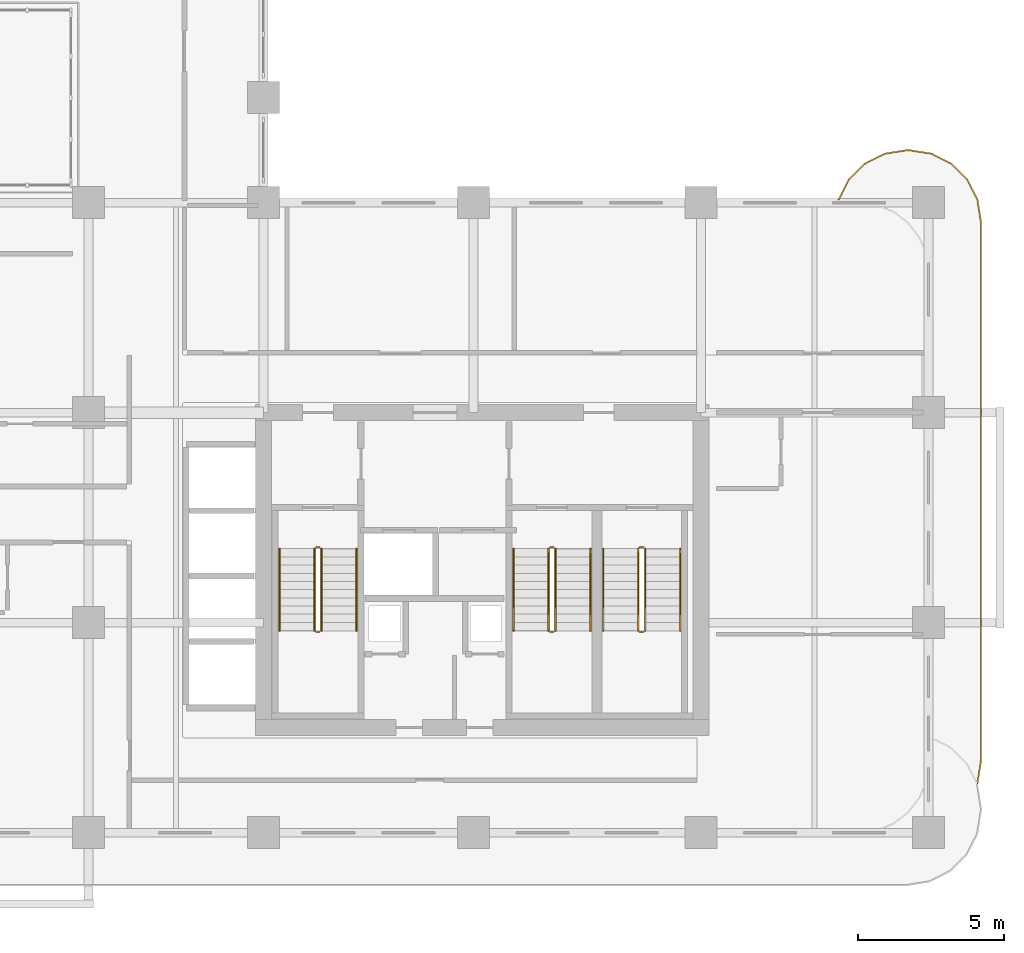
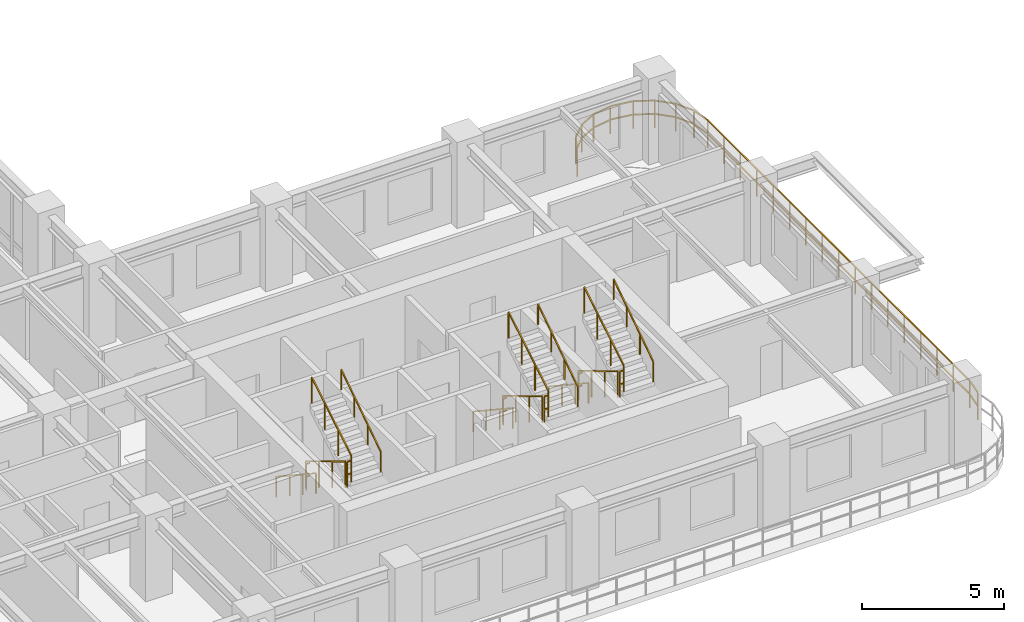
# One storey, part 20 of 22: 19 railings.
"""IFC4 building model written with IfcOpenShell, lengths in metres."""

import ifcopenshell
import ifcopenshell.guid

model = None  # the IFC model being written
_history = None  # IfcOwnerHistory: only IFC2X3 demands one
_inside = {}  # id of a spatial element -> (the spatial element, [elements in it])
_under = {}  # id of a project, library or spatial element -> (it, [spatial elements below it])
_declared = {}  # id of a project -> (the project, [libraries it declares])
_typed = {}  # id of a type object -> (the type object, [elements of that type])
_made_of = {}  # id of a material, layer set ... -> (it, [elements and type objects made of it])


def new_model(schema):
    """Start an empty IFC model of exactly this schema.

    Asked for "IFC4X3", IfcOpenShell would pick the latest addendum, in which some entities
    have other attributes; the version numbers below select the first issue.
    IFC2X3 requires an IfcOwnerHistory on every rooted entity: one is made here for all.
    """
    global model, _history
    if schema == "IFC4X3":
        model = ifcopenshell.file(schema_version=(4, 3, 0, 0))
    else:
        model = ifcopenshell.file(schema=schema)
    _inside.clear()
    _under.clear()
    _declared.clear()
    _typed.clear()
    _made_of.clear()
    _history = None
    if model.schema == "IFC2X3":
        org = make("IfcOrganization", Name="unknown")
        user = make(
            "IfcPersonAndOrganization",
            ThePerson=make("IfcPerson", FamilyName="unknown"),
            TheOrganization=org,
        )
        app = make(
            "IfcApplication",
            ApplicationDeveloper=org,
            Version="unknown",
            ApplicationFullName="unknown",
            ApplicationIdentifier="unknown",
        )
        _history = make(
            "IfcOwnerHistory",
            OwningUser=user,
            OwningApplication=app,
            ChangeAction="ADDED",
            CreationDate=0,
        )
    return model


def make(cls, **values):
    """One entity of the class cls with the attributes given. An attribute that is None is left unset."""
    return model.create_entity(
        cls, **{name: value for name, value in values.items() if value is not None}
    )


def rooted(cls, **values):
    """An entity with a GlobalId (a new one), such as an element, a storey or a relation."""
    return make(cls, GlobalId=ifcopenshell.guid.new(), OwnerHistory=_history, **values)


def si_unit(unit_type, name, prefix=None):
    """IfcSIUnit, for example si_unit("LENGTHUNIT", "METRE", prefix="MILLI")."""
    return make("IfcSIUnit", UnitType=unit_type, Prefix=prefix, Name=name)


def derived_unit(unit_type, elements):
    """IfcDerivedUnit: a product of units, each with its exponent."""
    return make(
        "IfcDerivedUnit",
        Elements=[
            make("IfcDerivedUnitElement", Unit=unit, Exponent=power)
            for unit, power in elements
        ],
        UnitType=unit_type,
    )


def assignment(units):
    """IfcUnitAssignment: the units of a project."""
    return None if units is None else make("IfcUnitAssignment", Units=units)


def point(xyz):
    """IfcCartesianPoint."""
    return None if xyz is None else make("IfcCartesianPoint", Coordinates=xyz)


def direction(xyz):
    """IfcDirection."""
    return None if xyz is None else make("IfcDirection", DirectionRatios=xyz)


def frame(location, z_axis=None, x_axis=None):
    """IfcAxis2Placement3D, a coordinate frame: its origin and axes. An axis left out is left unset."""
    return make(
        "IfcAxis2Placement3D",
        Location=point(location),
        Axis=direction(z_axis),
        RefDirection=direction(x_axis),
    )


def frame_2d(location, x_axis=None):
    """IfcAxis2Placement2D, a coordinate frame in the plane: its origin and x axis."""
    return make(
        "IfcAxis2Placement2D", Location=point(location), RefDirection=direction(x_axis)
    )


def origin():
    """The frame at (0, 0, 0) with its axes left unset."""
    return frame((0.0, 0.0, 0.0))


def origin_2d():
    """The frame at (0, 0) in the plane with its x axis left unset."""
    return frame_2d((0.0, 0.0))


def place(relative_to, where):
    """IfcLocalPlacement: puts the frame where relative to a parent placement (None: the world)."""
    return make(
        "IfcLocalPlacement", PlacementRelTo=relative_to, RelativePlacement=where
    )


def context(
    kind, dimensions, precision=None, world=None, true_north=None, identifier=None
):
    """IfcGeometricRepresentationContext, for example the 3D "Model" context."""
    return make(
        "IfcGeometricRepresentationContext",
        ContextIdentifier=identifier,
        ContextType=kind,
        CoordinateSpaceDimension=dimensions,
        Precision=precision,
        WorldCoordinateSystem=world,
        TrueNorth=true_north,
    )


def subcontext(parent, identifier, kind, view, scale=None):
    """IfcGeometricRepresentationSubContext, for example "Body" below "Model"."""
    return make(
        "IfcGeometricRepresentationSubContext",
        ContextIdentifier=identifier,
        ContextType=kind,
        ParentContext=parent,
        TargetScale=scale,
        TargetView=view,
    )


def project(units=None, contexts=None):
    """IfcProject with its units and contexts."""
    return rooted(
        "IfcProject",
        Name="project",
        RepresentationContexts=contexts,
        UnitsInContext=assignment(units),
    )


def spatial(cls, under=None, at=None, **own):
    """A site, building, storey or space (cls), placed at a placement, below another one or the project."""
    s = rooted(cls, ObjectPlacement=at, **own)
    if under is not None:
        _under.setdefault(under.id(), (under, []))[1].append(s)
    return s


def profile(cls, at=None, kind="AREA", **sizes):
    """A parametric profile (cls). Its sizes go by their IFC names, for example OverallWidth=200.0."""
    return make(cls, ProfileType=kind, Position=at, **sizes)


def rectangle(**sizes):
    """IfcRectangleProfileDef."""
    return profile("IfcRectangleProfileDef", **sizes)


def extrude(swept, where, along, depth):
    """IfcExtrudedAreaSolid: the profile swept, set in the frame where, extruded along a direction by depth."""
    return make(
        "IfcExtrudedAreaSolid",
        SweptArea=swept,
        Position=where,
        ExtrudedDirection=direction(along),
        Depth=depth,
    )


def shape(context_of_items, identifier, shape_type, items):
    """IfcShapeRepresentation: the items that make up one representation, for example the "Body"."""
    return make(
        "IfcShapeRepresentation",
        ContextOfItems=context_of_items,
        RepresentationIdentifier=identifier,
        RepresentationType=shape_type,
        Items=items,
    )


def material(Name=None, Category=None):
    """IfcMaterial."""
    return make("IfcMaterial", Name=Name, Category=Category)


def made_of(thing, what):
    """Note that an element or type object is made of a material, layer set ...; save() writes the relation."""
    if what is not None:
        _made_of.setdefault(what.id(), (what, []))[1].append(thing)
    return thing


def type_object(cls, material=None, **own):
    """A type object (cls), such as IfcWallType, which elements share."""
    return made_of(rooted(cls, **own), material)


def element(
    cls,
    number,
    at=None,
    inside=None,
    cuts=None,
    type_object=None,
    material=None,
    context=None,
    identifier="Body",
    shape_type=None,
    held_by="IfcProductDefinitionShape",
    body=None,
    shapes=None,
    **own,
):
    """One element of the class cls, such as IfcWall. Its Tag is "e" and its number.

    at: its placement. inside: the storey or other place that contains it. cuts: it is an
    opening in that element (IfcRelVoidsElement). A single representation is given by context,
    identifier, shape_type and body (its items); several are given by shapes. held_by: the class
    of the entity that holds the representations. save() writes the other relations.
    """
    e = rooted(cls, Tag="e%d" % number, ObjectPlacement=at, **own)
    if body is not None:
        shapes = [shape(context, identifier, shape_type, body)]
    if shapes is not None:
        e.Representation = make(held_by, Representations=shapes)
    if inside is not None:
        _inside.setdefault(inside.id(), (inside, []))[1].append(e)
    if cuts is not None:
        rooted(
            "IfcRelVoidsElement", RelatingBuildingElement=cuts, RelatedOpeningElement=e
        )
    if type_object is not None:
        _typed.setdefault(type_object.id(), (type_object, []))[1].append(e)
    return made_of(e, material)


def aggregate(whole, parts):
    """IfcRelAggregates: a whole, such as a stair, and the parts it consists of."""
    return rooted("IfcRelAggregates", RelatingObject=whole, RelatedObjects=parts)


def save(model, path):
    """Write the relations noted so far, then the file.

    IfcRelAggregates (storeys below a building ...), IfcRelContainedInSpatialStructure (elements
    in a storey), IfcRelDefinesByType, IfcRelAssociatesMaterial and IfcRelDeclares: one each for
    every whole, place, type object, material and project.
    """
    for whole, parts in _under.values():
        aggregate(whole, parts)
    for where, things in _inside.values():
        rooted(
            "IfcRelContainedInSpatialStructure",
            RelatedElements=things,
            RelatingStructure=where,
        )
    for kind, things in _typed.values():
        rooted("IfcRelDefinesByType", RelatedObjects=things, RelatingType=kind)
    for what, things in _made_of.values():
        rooted("IfcRelAssociatesMaterial", RelatedObjects=things, RelatingMaterial=what)
    for by, libraries in _declared.values():
        rooted("IfcRelDeclares", RelatingContext=by, RelatedDefinitions=libraries)
    model.write(path)


model = new_model("IFC4")

# Units and contexts
model_context = context("Model", 3, precision=1e-05, world=origin(), true_north=direction((0.0, 1.0)))
body_context = subcontext(model_context, "Body", "Model", "MODEL_VIEW")
ifc_project = project(units=[si_unit("LENGTHUNIT", "METRE"), si_unit("AREAUNIT", "SQUARE_METRE"), si_unit("VOLUMEUNIT", "CUBIC_METRE"), si_unit("PLANEANGLEUNIT", "RADIAN"), si_unit("MASSUNIT", "GRAM", prefix="KILO"), si_unit("THERMODYNAMICTEMPERATUREUNIT", "KELVIN"), si_unit("POWERUNIT", "WATT"), derived_unit("THERMALTRANSMITTANCEUNIT", [(si_unit("POWERUNIT", "WATT"), 1), (si_unit("AREAUNIT", "SQUARE_METRE"), -1), (si_unit("THERMODYNAMICTEMPERATUREUNIT", "KELVIN"), -1)])], contexts=[model_context])

# Site, building, storey
site_placement = place(None, origin())
site = spatial("IfcSite", under=ifc_project, at=site_placement, CompositionType="ELEMENT")
building_placement = place(site_placement, origin())
building = spatial("IfcBuilding", under=site, at=building_placement, Name="Zahravan Archway Hotel and Residences", CompositionType="ELEMENT")
storey_placement = place(building_placement, frame((0.0, 0.0, 87.89990234375)))
storey = spatial("IfcBuildingStorey", under=building, at=storey_placement, Name="L21", CompositionType="ELEMENT", Elevation=87.89990234375)

# Railings
ifc_material_1 = material(Name="Bronze & Laminated Glass Balustrade", Category="glass")
railing_type_1 = type_object("IfcRailingType", Name="RL-BAL-1200", PredefinedType="BALUSTRADE", material=ifc_material_1)
railing_1_placement = place(storey_placement, frame((54.52001953125, 21.70703125, 0.0)))
element("IfcRailing", 1, at=railing_1_placement, inside=storey, type_object=railing_type_1, Name="L21 Balustrade RL-SLB-BAL-L21-EA-1", PredefinedType="BALUSTRADE", context=body_context, shape_type="SweptSolid", body=[
    extrude(rectangle(XDim=0.048095703125, YDim=0.048095703125, at=origin_2d()), frame((0.0, 0.0, 1.17578125), z_axis=(0.453825591531, 0.891090529897, 0.0), x_axis=(-0.891090529897, 0.453825591531, 0.0)), (0.0, 0.0, 1.0), 0.7666015625),
    extrude(rectangle(XDim=0.048095703125, YDim=0.048095703125, at=origin_2d()), frame((0.0, 0.0, 0.60009765625), z_axis=(0.453825591531, 0.891090529897, 0.0), x_axis=(-0.891090529897, 0.453825591531, 0.0)), (0.0, 0.0, 1.0), 0.7666015625),
    extrude(rectangle(XDim=0.048095703125, YDim=0.048095703125, at=origin_2d()), frame((0.347900390625, 0.68310546875, 1.17578125), z_axis=(0.707106781187, 0.707106781187, 0.0), x_axis=(-0.707106781187, 0.707106781187, 0.0)), (0.0, 0.0, 1.0), 0.7666015625),
    extrude(rectangle(XDim=0.048095703125, YDim=0.048095703125, at=origin_2d()), frame((0.347900390625, 0.68310546875, 0.60009765625), z_axis=(0.707106781187, 0.707106781187, 0.0), x_axis=(-0.707106781187, 0.707106781187, 0.0)), (0.0, 0.0, 1.0), 0.7666015625),
    extrude(rectangle(XDim=0.048095703125, YDim=0.048095703125, at=origin_2d()), frame((0.889892578125, 1.22509765625, 1.17578125), z_axis=(0.891090529897, 0.453825591531, 0.0), x_axis=(-0.453825591531, 0.891090529897, 0.0)), (0.0, 0.0, 1.0), 0.7666015625),
    extrude(rectangle(XDim=0.048095703125, YDim=0.048095703125, at=origin_2d()), frame((0.889892578125, 1.22509765625, 0.60009765625), z_axis=(0.891090529897, 0.453825591531, 0.0), x_axis=(-0.453825591531, 0.891090529897, 0.0)), (0.0, 0.0, 1.0), 0.7666015625),
    extrude(rectangle(XDim=0.048095703125, YDim=0.048095703125, at=origin_2d()), frame((1.572998046875, 1.572998046875, 1.17578125), z_axis=(0.987695728695, 0.156387811283, 0.0), x_axis=(-0.156387811283, 0.987695728695, 0.0)), (0.0, 0.0, 1.0), 0.7666015625),
    extrude(rectangle(XDim=0.048095703125, YDim=0.048095703125, at=origin_2d()), frame((1.572998046875, 1.572998046875, 0.60009765625), z_axis=(0.987695728695, 0.156387811283, 0.0), x_axis=(-0.156387811283, 0.987695728695, 0.0)), (0.0, 0.0, 1.0), 0.7666015625),
    extrude(rectangle(XDim=0.048095703125, YDim=0.048095703125, at=origin_2d()), frame((2.330078125, 1.69287109375, 1.17578125), z_axis=(1.0, 0.0, 0.0), x_axis=(0.0, 1.0, 0.0)), (0.0, 0.0, 1.0), 0.099853515625),
    extrude(rectangle(XDim=0.048095703125, YDim=0.048095703125, at=origin_2d()), frame((2.330078125, 1.69287109375, 0.60009765625), z_axis=(1.0, 0.0, 0.0), x_axis=(0.0, 1.0, 0.0)), (0.0, 0.0, 1.0), 0.099853515625),
    extrude(rectangle(XDim=0.048095703125, YDim=0.048095703125, at=origin_2d()), frame((2.429931640625, 1.69287109375, 1.17578125), z_axis=(0.987695728695, -0.156387811283, 0.0), x_axis=(0.156387811283, 0.987695728695, 0.0)), (0.0, 0.0, 1.0), 0.7666015625),
    extrude(rectangle(XDim=0.048095703125, YDim=0.048095703125, at=origin_2d()), frame((2.429931640625, 1.69287109375, 0.60009765625), z_axis=(0.987695728695, -0.156387811283, 0.0), x_axis=(0.156387811283, 0.987695728695, 0.0)), (0.0, 0.0, 1.0), 0.7666015625),
    extrude(rectangle(XDim=0.048095703125, YDim=0.048095703125, at=origin_2d()), frame((3.18701171875, 1.572998046875, 1.17578125), z_axis=(0.891090529897, -0.453825591531, 0.0), x_axis=(0.453825591531, 0.891090529897, 0.0)), (0.0, 0.0, 1.0), 0.7666015625),
    extrude(rectangle(XDim=0.048095703125, YDim=0.048095703125, at=origin_2d()), frame((3.18701171875, 1.572998046875, 0.60009765625), z_axis=(0.891090529897, -0.453825591531, 0.0), x_axis=(0.453825591531, 0.891090529897, 0.0)), (0.0, 0.0, 1.0), 0.7666015625),
    extrude(rectangle(XDim=0.048095703125, YDim=0.048095703125, at=origin_2d()), frame((3.8701171875, 1.22509765625, 1.17578125), z_axis=(0.707106781187, -0.707106781187, 0.0), x_axis=(0.707106781187, 0.707106781187, 0.0)), (0.0, 0.0, 1.0), 0.7666015625),
    extrude(rectangle(XDim=0.048095703125, YDim=0.048095703125, at=origin_2d()), frame((3.8701171875, 1.22509765625, 0.60009765625), z_axis=(0.707106781187, -0.707106781187, 0.0), x_axis=(0.707106781187, 0.707106781187, 0.0)), (0.0, 0.0, 1.0), 0.7666015625),
    extrude(rectangle(XDim=0.048095703125, YDim=0.048095703125, at=origin_2d()), frame((4.412109375, 0.68310546875, 1.17578125), z_axis=(0.453825591531, -0.891090529897, 0.0), x_axis=(0.891090529897, 0.453825591531, 0.0)), (0.0, 0.0, 1.0), 0.7666015625),
    extrude(rectangle(XDim=0.048095703125, YDim=0.048095703125, at=origin_2d()), frame((4.412109375, 0.68310546875, 0.60009765625), z_axis=(0.453825591531, -0.891090529897, 0.0), x_axis=(0.891090529897, 0.453825591531, 0.0)), (0.0, 0.0, 1.0), 0.7666015625),
    extrude(rectangle(XDim=0.048095703125, YDim=0.048095703125, at=origin_2d()), frame((4.760009765625, 0.0, 1.17578125), z_axis=(0.156387811283, -0.987695728695, 0.0), x_axis=(0.987695728695, 0.156387811283, 0.0)), (0.0, 0.0, 1.0), 0.7666015625),
    extrude(rectangle(XDim=0.048095703125, YDim=0.048095703125, at=origin_2d()), frame((4.760009765625, 0.0, 0.60009765625), z_axis=(0.156387811283, -0.987695728695, 0.0), x_axis=(0.987695728695, 0.156387811283, 0.0)), (0.0, 0.0, 1.0), 0.7666015625),
    extrude(rectangle(XDim=0.048095703125, YDim=0.048095703125, at=origin_2d()), frame((4.8798828125, -0.757080078125, 1.17578125), z_axis=(0.0, -1.0, 0.0), x_axis=(1.0, 0.0, 0.0)), (0.0, 0.0, 1.0), 18.5),
    extrude(rectangle(XDim=0.048095703125, YDim=0.048095703125, at=origin_2d()), frame((4.8798828125, -0.757080078125, 0.60009765625), z_axis=(0.0, -1.0, 0.0), x_axis=(1.0, 0.0, 0.0)), (0.0, 0.0, 1.0), 18.5),
    extrude(rectangle(XDim=0.048095703125, YDim=0.048095703125, at=origin_2d()), frame((4.8798828125, -19.257080078125, 1.17578125), z_axis=(-0.156387811283, -0.987695728695, 0.0), x_axis=(0.987695728695, -0.156387811283, 0.0)), (0.0, 0.0, 1.0), 0.7666015625),
    extrude(rectangle(XDim=0.048095703125, YDim=0.048095703125, at=origin_2d()), frame((4.8798828125, -19.257080078125, 0.60009765625), z_axis=(-0.156387811283, -0.987695728695, 0.0), x_axis=(0.987695728695, -0.156387811283, 0.0)), (0.0, 0.0, 1.0), 0.7666015625),
    extrude(rectangle(XDim=0.0419921875, YDim=0.0419921875, at=origin_2d()), origin(), (0.0, 0.0, 1.0), 1.15185546875),
    extrude(rectangle(XDim=0.0419921875, YDim=0.0419921875, at=origin_2d()), frame((0.347900390625, 0.68310546875, 0.0)), (0.0, 0.0, 1.0), 1.15185546875),
    extrude(rectangle(XDim=0.0419921875, YDim=0.0419921875, at=origin_2d()), frame((0.889892578125, 1.22509765625, 0.0)), (0.0, 0.0, 1.0), 1.15185546875),
    extrude(rectangle(XDim=0.0419921875, YDim=0.0419921875, at=origin_2d()), frame((1.572998046875, 1.572998046875, 0.0)), (0.0, 0.0, 1.0), 1.15185546875),
    extrude(rectangle(XDim=0.0419921875, YDim=0.0419921875, at=origin_2d()), frame((2.330078125, 1.69287109375, 0.0)), (0.0, 0.0, 1.0), 1.15185546875),
    extrude(rectangle(XDim=0.0419921875, YDim=0.0419921875, at=origin_2d()), frame((3.18701171875, 1.572998046875, 0.0)), (0.0, 0.0, 1.0), 1.15185546875),
    extrude(rectangle(XDim=0.0419921875, YDim=0.0419921875, at=origin_2d()), frame((3.8701171875, 1.22509765625, 0.0)), (0.0, 0.0, 1.0), 1.15185546875),
    extrude(rectangle(XDim=0.0419921875, YDim=0.0419921875, at=origin_2d()), frame((4.412109375, 0.68310546875, 0.0)), (0.0, 0.0, 1.0), 1.15185546875),
    extrude(rectangle(XDim=0.0419921875, YDim=0.0419921875, at=origin_2d()), frame((4.760009765625, 0.0, 0.0)), (0.0, 0.0, 1.0), 1.15185546875),
    extrude(rectangle(XDim=0.0419921875, YDim=0.0419921875, at=origin_2d()), frame((4.8798828125, -0.757080078125, 0.0)), (0.0, 0.0, 1.0), 1.15185546875),
    extrude(rectangle(XDim=0.0419921875, YDim=0.0419921875, at=origin_2d()), frame((4.8798828125, -1.913330078125, 0.0)), (0.0, 0.0, 1.0), 1.15185546875),
    extrude(rectangle(XDim=0.0419921875, YDim=0.0419921875, at=origin_2d()), frame((4.8798828125, -3.069580078125, 0.0)), (0.0, 0.0, 1.0), 1.15185546875),
    extrude(rectangle(XDim=0.0419921875, YDim=0.0419921875, at=origin_2d()), frame((4.8798828125, -4.225830078125, 0.0)), (0.0, 0.0, 1.0), 1.15185546875),
    extrude(rectangle(XDim=0.0419921875, YDim=0.0419921875, at=origin_2d()), frame((4.8798828125, -5.382080078125, 0.0)), (0.0, 0.0, 1.0), 1.15185546875),
    extrude(rectangle(XDim=0.0419921875, YDim=0.0419921875, at=origin_2d()), frame((4.8798828125, -6.538330078125, 0.0)), (0.0, 0.0, 1.0), 1.15185546875),
    extrude(rectangle(XDim=0.0419921875, YDim=0.0419921875, at=origin_2d()), frame((4.8798828125, -7.694580078125, 0.0)), (0.0, 0.0, 1.0), 1.15185546875),
    extrude(rectangle(XDim=0.0419921875, YDim=0.0419921875, at=origin_2d()), frame((4.8798828125, -8.850830078125, 0.0)), (0.0, 0.0, 1.0), 1.15185546875),
    extrude(rectangle(XDim=0.0419921875, YDim=0.0419921875, at=origin_2d()), frame((4.8798828125, -10.007080078125, 0.0)), (0.0, 0.0, 1.0), 1.15185546875),
    extrude(rectangle(XDim=0.0419921875, YDim=0.0419921875, at=origin_2d()), frame((4.8798828125, -11.163330078125, 0.0)), (0.0, 0.0, 1.0), 1.15185546875),
    extrude(rectangle(XDim=0.0419921875, YDim=0.0419921875, at=origin_2d()), frame((4.8798828125, -12.319580078125, 0.0)), (0.0, 0.0, 1.0), 1.15185546875),
    extrude(rectangle(XDim=0.0419921875, YDim=0.0419921875, at=origin_2d()), frame((4.8798828125, -13.475830078125, 0.0)), (0.0, 0.0, 1.0), 1.15185546875),
    extrude(rectangle(XDim=0.0419921875, YDim=0.0419921875, at=origin_2d()), frame((4.8798828125, -14.632080078125, 0.0)), (0.0, 0.0, 1.0), 1.15185546875),
    extrude(rectangle(XDim=0.0419921875, YDim=0.0419921875, at=origin_2d()), frame((4.8798828125, -15.788330078125, 0.0)), (0.0, 0.0, 1.0), 1.15185546875),
    extrude(rectangle(XDim=0.0419921875, YDim=0.0419921875, at=origin_2d()), frame((4.8798828125, -16.944580078125, 0.0)), (0.0, 0.0, 1.0), 1.15185546875),
    extrude(rectangle(XDim=0.0419921875, YDim=0.0419921875, at=origin_2d()), frame((4.8798828125, -18.100830078125, 0.0)), (0.0, 0.0, 1.0), 1.15185546875),
    extrude(rectangle(XDim=0.0419921875, YDim=0.0419921875, at=origin_2d()), frame((4.8798828125, -19.257080078125, 0.0)), (0.0, 0.0, 1.0), 1.15185546875),
    extrude(rectangle(XDim=0.0419921875, YDim=0.0419921875, at=origin_2d()), frame((4.760009765625, -20.01416015625, 0.0)), (0.0, 0.0, 1.0), 1.15185546875),
])
ifc_material_2 = material(Name="Painted Tubular Steel", Category="steel")
railing_type_2 = type_object("IfcRailingType", Name="RL-STG-1150", PredefinedType="GUARDRAIL", material=ifc_material_2)
railing_2_placement = place(storey_placement, frame((36.550048828125, 9.72998046875, 0.168212890625)))
element("IfcRailing", 2, at=railing_2_placement, inside=storey, type_object=railing_type_2, Name="L21 ST-A1 stair guard 1", PredefinedType="GUARDRAIL", context=body_context, shape_type="SweptSolid", body=[
    extrude(rectangle(XDim=0.048095703125, YDim=0.048095703125, at=origin_2d()), frame((0.0, 0.0, 1.1259765625), z_axis=(0.0, -0.857242210791, 0.514913383045), x_axis=(1.0, 0.0, 0.0)), (0.0, 0.0, 1.0), 3.266357421875),
    extrude(rectangle(XDim=0.0419921875, YDim=0.0419921875, at=origin_2d()), origin(), (0.0, 0.0, 1.0), 1.101806640625),
    extrude(rectangle(XDim=0.0419921875, YDim=0.0419921875, at=origin_2d()), frame((0.0, -0.933349609375, 0.560546875)), (0.0, 0.0, 1.0), 1.101806640625),
    extrude(rectangle(XDim=0.0419921875, YDim=0.0419921875, at=origin_2d()), frame((0.0, -1.86669921875, 1.121337890625)), (0.0, 0.0, 1.0), 1.101806640625),
    extrude(rectangle(XDim=0.0419921875, YDim=0.0419921875, at=origin_2d()), frame((0.0, -2.800048828125, 1.681884765625)), (0.0, 0.0, 1.0), 1.101806640625),
])
railing_3_placement = place(storey_placement, frame((36.60009765625, 6.8798828125, 1.85009765625)))
element("IfcRailing", 3, at=railing_3_placement, inside=storey, type_object=railing_type_2, Name="L21 ST-A1 stair guard 2", PredefinedType="GUARDRAIL", context=body_context, shape_type="SweptSolid", body=[
    extrude(rectangle(XDim=0.048095703125, YDim=0.048095703125, at=origin_2d()), frame((0.0, 0.0, 1.1259765625), z_axis=(1.0, 0.0, 0.0), x_axis=(0.0, 1.0, 0.0)), (0.0, 0.0, 1.0), 0.139892578125),
    extrude(rectangle(XDim=0.048095703125, YDim=0.048095703125, at=origin_2d()), frame((0.0, 0.0, 0.574951171875), z_axis=(1.0, 0.0, 0.0), x_axis=(0.0, 1.0, 0.0)), (0.0, 0.0, 1.0), 0.139892578125),
    extrude(rectangle(XDim=0.0419921875, YDim=0.0419921875, at=origin_2d()), origin(), (0.0, 0.0, 1.0), 1.101806640625),
])
railing_4_placement = place(storey_placement, frame((36.7900390625, 6.929931640625, 2.018310546875)))
element("IfcRailing", 4, at=railing_4_placement, inside=storey, type_object=railing_type_2, Name="L21 ST-A1 stair guard 3", PredefinedType="GUARDRAIL", context=body_context, shape_type="SweptSolid", body=[
    extrude(rectangle(XDim=0.048095703125, YDim=0.048095703125, at=origin_2d()), frame((0.0, 0.0, 1.1259765625), z_axis=(0.0, 0.857242210791, 0.514913383045), x_axis=(-1.0, 0.0, 0.0)), (0.0, 0.0, 1.0), 3.266357421875),
    extrude(rectangle(XDim=0.0419921875, YDim=0.0419921875, at=origin_2d()), origin(), (0.0, 0.0, 1.0), 1.101806640625),
    extrude(rectangle(XDim=0.0419921875, YDim=0.0419921875, at=origin_2d()), frame((0.0, 0.933349609375, 0.560546875)), (0.0, 0.0, 1.0), 1.101806640625),
    extrude(rectangle(XDim=0.0419921875, YDim=0.0419921875, at=origin_2d()), frame((0.0, 1.86669921875, 1.121337890625)), (0.0, 0.0, 1.0), 1.101806640625),
    extrude(rectangle(XDim=0.0419921875, YDim=0.0419921875, at=origin_2d()), frame((0.0, 2.800048828125, 1.681884765625)), (0.0, 0.0, 1.0), 1.101806640625),
])
railing_5_placement = place(storey_placement, frame((36.60009765625, 9.780029296875, 0.0)))
element("IfcRailing", 5, at=railing_5_placement, inside=storey, type_object=railing_type_2, Name="L21 ST-A1 stair guard 4", PredefinedType="GUARDRAIL", context=body_context, shape_type="SweptSolid", body=[
    extrude(rectangle(XDim=0.048095703125, YDim=0.048095703125, at=origin_2d()), frame((0.0, 0.0, 1.1259765625), z_axis=(1.0, 0.0, 0.0), x_axis=(0.0, 1.0, 0.0)), (0.0, 0.0, 1.0), 0.139892578125),
    extrude(rectangle(XDim=0.048095703125, YDim=0.048095703125, at=origin_2d()), frame((0.0, 0.0, 0.574951171875), z_axis=(1.0, 0.0, 0.0), x_axis=(0.0, 1.0, 0.0)), (0.0, 0.0, 1.0), 0.139892578125),
    extrude(rectangle(XDim=0.0419921875, YDim=0.0419921875, at=origin_2d()), origin(), (0.0, 0.0, 1.0), 1.101806640625),
])
railing_6_placement = place(storey_placement, frame((44.570068359375, 9.72998046875, 0.168212890625)))
element("IfcRailing", 6, at=railing_6_placement, inside=storey, type_object=railing_type_2, Name="L21 ST-A2 stair guard 1", PredefinedType="GUARDRAIL", context=body_context, shape_type="SweptSolid", body=[
    extrude(rectangle(XDim=0.048095703125, YDim=0.048095703125, at=origin_2d()), frame((0.0, 0.0, 1.1259765625), z_axis=(0.0, -0.857242210791, 0.514913383045), x_axis=(1.0, 0.0, 0.0)), (0.0, 0.0, 1.0), 3.266357421875),
    extrude(rectangle(XDim=0.0419921875, YDim=0.0419921875, at=origin_2d()), origin(), (0.0, 0.0, 1.0), 1.101806640625),
    extrude(rectangle(XDim=0.0419921875, YDim=0.0419921875, at=origin_2d()), frame((0.0, -0.933349609375, 0.560546875)), (0.0, 0.0, 1.0), 1.101806640625),
    extrude(rectangle(XDim=0.0419921875, YDim=0.0419921875, at=origin_2d()), frame((0.0, -1.86669921875, 1.121337890625)), (0.0, 0.0, 1.0), 1.101806640625),
    extrude(rectangle(XDim=0.0419921875, YDim=0.0419921875, at=origin_2d()), frame((0.0, -2.800048828125, 1.681884765625)), (0.0, 0.0, 1.0), 1.101806640625),
])
railing_7_placement = place(storey_placement, frame((44.6201171875, 6.8798828125, 1.85009765625)))
element("IfcRailing", 7, at=railing_7_placement, inside=storey, type_object=railing_type_2, Name="L21 ST-A2 stair guard 2", PredefinedType="GUARDRAIL", context=body_context, shape_type="SweptSolid", body=[
    extrude(rectangle(XDim=0.048095703125, YDim=0.048095703125, at=origin_2d()), frame((0.0, 0.0, 1.1259765625), z_axis=(1.0, 0.0, 0.0), x_axis=(0.0, 1.0, 0.0)), (0.0, 0.0, 1.0), 0.139892578125),
    extrude(rectangle(XDim=0.048095703125, YDim=0.048095703125, at=origin_2d()), frame((0.0, 0.0, 0.574951171875), z_axis=(1.0, 0.0, 0.0), x_axis=(0.0, 1.0, 0.0)), (0.0, 0.0, 1.0), 0.139892578125),
    extrude(rectangle(XDim=0.0419921875, YDim=0.0419921875, at=origin_2d()), origin(), (0.0, 0.0, 1.0), 1.101806640625),
])
railing_8_placement = place(storey_placement, frame((44.81005859375, 6.929931640625, 2.018310546875)))
element("IfcRailing", 8, at=railing_8_placement, inside=storey, type_object=railing_type_2, Name="L21 ST-A2 stair guard 3", PredefinedType="GUARDRAIL", context=body_context, shape_type="SweptSolid", body=[
    extrude(rectangle(XDim=0.048095703125, YDim=0.048095703125, at=origin_2d()), frame((0.0, 0.0, 1.1259765625), z_axis=(0.0, 0.857242210791, 0.514913383045), x_axis=(-1.0, 0.0, 0.0)), (0.0, 0.0, 1.0), 3.266357421875),
    extrude(rectangle(XDim=0.0419921875, YDim=0.0419921875, at=origin_2d()), origin(), (0.0, 0.0, 1.0), 1.101806640625),
    extrude(rectangle(XDim=0.0419921875, YDim=0.0419921875, at=origin_2d()), frame((0.0, 0.933349609375, 0.560546875)), (0.0, 0.0, 1.0), 1.101806640625),
    extrude(rectangle(XDim=0.0419921875, YDim=0.0419921875, at=origin_2d()), frame((0.0, 1.86669921875, 1.121337890625)), (0.0, 0.0, 1.0), 1.101806640625),
    extrude(rectangle(XDim=0.0419921875, YDim=0.0419921875, at=origin_2d()), frame((0.0, 2.800048828125, 1.681884765625)), (0.0, 0.0, 1.0), 1.101806640625),
])
railing_9_placement = place(storey_placement, frame((44.6201171875, 9.780029296875, 0.0)))
element("IfcRailing", 9, at=railing_9_placement, inside=storey, type_object=railing_type_2, Name="L21 ST-A2 stair guard 4", PredefinedType="GUARDRAIL", context=body_context, shape_type="SweptSolid", body=[
    extrude(rectangle(XDim=0.048095703125, YDim=0.048095703125, at=origin_2d()), frame((0.0, 0.0, 1.1259765625), z_axis=(1.0, 0.0, 0.0), x_axis=(0.0, 1.0, 0.0)), (0.0, 0.0, 1.0), 0.139892578125),
    extrude(rectangle(XDim=0.048095703125, YDim=0.048095703125, at=origin_2d()), frame((0.0, 0.0, 0.574951171875), z_axis=(1.0, 0.0, 0.0), x_axis=(0.0, 1.0, 0.0)), (0.0, 0.0, 1.0), 0.139892578125),
    extrude(rectangle(XDim=0.0419921875, YDim=0.0419921875, at=origin_2d()), origin(), (0.0, 0.0, 1.0), 1.101806640625),
])
railing_10_placement = place(storey_placement, frame((47.64990234375, 9.72998046875, 0.168212890625)))
element("IfcRailing", 10, at=railing_10_placement, inside=storey, type_object=railing_type_2, Name="L21 ST-A3 stair guard 1", PredefinedType="GUARDRAIL", context=body_context, shape_type="SweptSolid", body=[
    extrude(rectangle(XDim=0.048095703125, YDim=0.048095703125, at=origin_2d()), frame((0.0, 0.0, 1.1259765625), z_axis=(0.0, -0.857242210791, 0.514913383045), x_axis=(1.0, 0.0, 0.0)), (0.0, 0.0, 1.0), 3.266357421875),
    extrude(rectangle(XDim=0.0419921875, YDim=0.0419921875, at=origin_2d()), origin(), (0.0, 0.0, 1.0), 1.101806640625),
    extrude(rectangle(XDim=0.0419921875, YDim=0.0419921875, at=origin_2d()), frame((0.0, -0.933349609375, 0.560546875)), (0.0, 0.0, 1.0), 1.101806640625),
    extrude(rectangle(XDim=0.0419921875, YDim=0.0419921875, at=origin_2d()), frame((0.0, -1.86669921875, 1.121337890625)), (0.0, 0.0, 1.0), 1.101806640625),
    extrude(rectangle(XDim=0.0419921875, YDim=0.0419921875, at=origin_2d()), frame((0.0, -2.800048828125, 1.681884765625)), (0.0, 0.0, 1.0), 1.101806640625),
])
railing_11_placement = place(storey_placement, frame((47.699951171875, 6.8798828125, 1.85009765625)))
element("IfcRailing", 11, at=railing_11_placement, inside=storey, type_object=railing_type_2, Name="L21 ST-A3 stair guard 2", PredefinedType="GUARDRAIL", context=body_context, shape_type="SweptSolid", body=[
    extrude(rectangle(XDim=0.048095703125, YDim=0.048095703125, at=origin_2d()), frame((0.0, 0.0, 1.1259765625), z_axis=(1.0, 0.0, 0.0), x_axis=(0.0, 1.0, 0.0)), (0.0, 0.0, 1.0), 0.14013671875),
    extrude(rectangle(XDim=0.048095703125, YDim=0.048095703125, at=origin_2d()), frame((0.0, 0.0, 0.574951171875), z_axis=(1.0, 0.0, 0.0), x_axis=(0.0, 1.0, 0.0)), (0.0, 0.0, 1.0), 0.14013671875),
    extrude(rectangle(XDim=0.0419921875, YDim=0.0419921875, at=origin_2d()), origin(), (0.0, 0.0, 1.0), 1.101806640625),
])
railing_12_placement = place(storey_placement, frame((47.889892578125, 6.929931640625, 2.018310546875)))
element("IfcRailing", 12, at=railing_12_placement, inside=storey, type_object=railing_type_2, Name="L21 ST-A3 stair guard 3", PredefinedType="GUARDRAIL", context=body_context, shape_type="SweptSolid", body=[
    extrude(rectangle(XDim=0.048095703125, YDim=0.048095703125, at=origin_2d()), frame((0.0, 0.0, 1.1259765625), z_axis=(0.0, 0.857242210791, 0.514913383045), x_axis=(-1.0, 0.0, 0.0)), (0.0, 0.0, 1.0), 3.266357421875),
    extrude(rectangle(XDim=0.0419921875, YDim=0.0419921875, at=origin_2d()), origin(), (0.0, 0.0, 1.0), 1.101806640625),
    extrude(rectangle(XDim=0.0419921875, YDim=0.0419921875, at=origin_2d()), frame((0.0, 0.933349609375, 0.560546875)), (0.0, 0.0, 1.0), 1.101806640625),
    extrude(rectangle(XDim=0.0419921875, YDim=0.0419921875, at=origin_2d()), frame((0.0, 1.86669921875, 1.121337890625)), (0.0, 0.0, 1.0), 1.101806640625),
    extrude(rectangle(XDim=0.0419921875, YDim=0.0419921875, at=origin_2d()), frame((0.0, 2.800048828125, 1.681884765625)), (0.0, 0.0, 1.0), 1.101806640625),
])
railing_13_placement = place(storey_placement, frame((47.699951171875, 9.780029296875, 0.0)))
element("IfcRailing", 13, at=railing_13_placement, inside=storey, type_object=railing_type_2, Name="L21 ST-A3 stair guard 4", PredefinedType="GUARDRAIL", context=body_context, shape_type="SweptSolid", body=[
    extrude(rectangle(XDim=0.048095703125, YDim=0.048095703125, at=origin_2d()), frame((0.0, 0.0, 1.1259765625), z_axis=(1.0, 0.0, 0.0), x_axis=(0.0, 1.0, 0.0)), (0.0, 0.0, 1.0), 0.14013671875),
    extrude(rectangle(XDim=0.048095703125, YDim=0.048095703125, at=origin_2d()), frame((0.0, 0.0, 0.574951171875), z_axis=(1.0, 0.0, 0.0), x_axis=(0.0, 1.0, 0.0)), (0.0, 0.0, 1.0), 0.14013671875),
    extrude(rectangle(XDim=0.0419921875, YDim=0.0419921875, at=origin_2d()), origin(), (0.0, 0.0, 1.0), 1.101806640625),
])
ifc_material_3 = material(Name="Brushed Stainless Steel", Category="steel")
railing_type_3 = type_object("IfcRailingType", Name="RL-STH-900", PredefinedType="HANDRAIL", material=ifc_material_3)
railing_14_placement = place(storey_placement, frame((35.35009765625, 9.72998046875, 0.168212890625)))
element("IfcRailing", 14, at=railing_14_placement, inside=storey, type_object=railing_type_3, Name="L21 ST-A1 stair handrail 1", PredefinedType="HANDRAIL", context=body_context, shape_type="SweptSolid", body=[
    extrude(rectangle(XDim=0.048095703125, YDim=0.048095703125, at=origin_2d()), frame((0.0, 0.0, 0.8759765625), z_axis=(0.0, -0.834326358476, 0.551270829586), x_axis=(1.0, 0.0, 0.0)), (0.0, 0.0, 1.0), 3.35595703125),
    extrude(rectangle(XDim=0.0419921875, YDim=0.0419921875, at=origin_2d()), origin(), (0.0, 0.0, 1.0), 0.851806640625),
    extrude(rectangle(XDim=0.0419921875, YDim=0.0419921875, at=origin_2d()), frame((0.0, -0.933349609375, 0.61669921875)), (0.0, 0.0, 1.0), 0.851806640625),
    extrude(rectangle(XDim=0.0419921875, YDim=0.0419921875, at=origin_2d()), frame((0.0, -1.86669921875, 1.2333984375)), (0.0, 0.0, 1.0), 0.851806640625),
    extrude(rectangle(XDim=0.0419921875, YDim=0.0419921875, at=origin_2d()), frame((0.0, -2.800048828125, 1.85009765625)), (0.0, 0.0, 1.0), 0.851806640625),
])
railing_15_placement = place(storey_placement, frame((37.989990234375, 6.929931640625, 2.018310546875)))
element("IfcRailing", 15, at=railing_15_placement, inside=storey, type_object=railing_type_3, Name="L21 ST-A1 stair handrail 2", PredefinedType="HANDRAIL", context=body_context, shape_type="SweptSolid", body=[
    extrude(rectangle(XDim=0.048095703125, YDim=0.048095703125, at=origin_2d()), frame((0.0, 0.0, 0.8759765625), z_axis=(0.0, 0.83435981716, 0.551220187865), x_axis=(-1.0, 0.0, 0.0)), (0.0, 0.0, 1.0), 3.35595703125),
    extrude(rectangle(XDim=0.0419921875, YDim=0.0419921875, at=origin_2d()), origin(), (0.0, 0.0, 1.0), 0.851806640625),
    extrude(rectangle(XDim=0.0419921875, YDim=0.0419921875, at=origin_2d()), frame((0.0, 0.933349609375, 0.61669921875)), (0.0, 0.0, 1.0), 0.851806640625),
    extrude(rectangle(XDim=0.0419921875, YDim=0.0419921875, at=origin_2d()), frame((0.0, 1.86669921875, 1.233154296875)), (0.0, 0.0, 1.0), 0.851806640625),
    extrude(rectangle(XDim=0.0419921875, YDim=0.0419921875, at=origin_2d()), frame((0.0, 2.800048828125, 1.849853515625)), (0.0, 0.0, 1.0), 0.851806640625),
])
railing_16_placement = place(storey_placement, frame((43.3701171875, 9.72998046875, 0.168212890625)))
element("IfcRailing", 16, at=railing_16_placement, inside=storey, type_object=railing_type_3, Name="L21 ST-A2 stair handrail 1", PredefinedType="HANDRAIL", context=body_context, shape_type="SweptSolid", body=[
    extrude(rectangle(XDim=0.048095703125, YDim=0.048095703125, at=origin_2d()), frame((0.0, 0.0, 0.8759765625), z_axis=(0.0, -0.834326358476, 0.551270829586), x_axis=(1.0, 0.0, 0.0)), (0.0, 0.0, 1.0), 3.35595703125),
    extrude(rectangle(XDim=0.0419921875, YDim=0.0419921875, at=origin_2d()), origin(), (0.0, 0.0, 1.0), 0.851806640625),
    extrude(rectangle(XDim=0.0419921875, YDim=0.0419921875, at=origin_2d()), frame((0.0, -0.933349609375, 0.61669921875)), (0.0, 0.0, 1.0), 0.851806640625),
    extrude(rectangle(XDim=0.0419921875, YDim=0.0419921875, at=origin_2d()), frame((0.0, -1.86669921875, 1.2333984375)), (0.0, 0.0, 1.0), 0.851806640625),
    extrude(rectangle(XDim=0.0419921875, YDim=0.0419921875, at=origin_2d()), frame((0.0, -2.800048828125, 1.85009765625)), (0.0, 0.0, 1.0), 0.851806640625),
])
railing_17_placement = place(storey_placement, frame((46.010009765625, 6.929931640625, 2.018310546875)))
element("IfcRailing", 17, at=railing_17_placement, inside=storey, type_object=railing_type_3, Name="L21 ST-A2 stair handrail 2", PredefinedType="HANDRAIL", context=body_context, shape_type="SweptSolid", body=[
    extrude(rectangle(XDim=0.048095703125, YDim=0.048095703125, at=origin_2d()), frame((0.0, 0.0, 0.8759765625), z_axis=(0.0, 0.83435981716, 0.551220187865), x_axis=(-1.0, 0.0, 0.0)), (0.0, 0.0, 1.0), 3.35595703125),
    extrude(rectangle(XDim=0.0419921875, YDim=0.0419921875, at=origin_2d()), origin(), (0.0, 0.0, 1.0), 0.851806640625),
    extrude(rectangle(XDim=0.0419921875, YDim=0.0419921875, at=origin_2d()), frame((0.0, 0.933349609375, 0.61669921875)), (0.0, 0.0, 1.0), 0.851806640625),
    extrude(rectangle(XDim=0.0419921875, YDim=0.0419921875, at=origin_2d()), frame((0.0, 1.86669921875, 1.233154296875)), (0.0, 0.0, 1.0), 0.851806640625),
    extrude(rectangle(XDim=0.0419921875, YDim=0.0419921875, at=origin_2d()), frame((0.0, 2.800048828125, 1.849853515625)), (0.0, 0.0, 1.0), 0.851806640625),
])
railing_18_placement = place(storey_placement, frame((46.449951171875, 9.72998046875, 0.168212890625)))
element("IfcRailing", 18, at=railing_18_placement, inside=storey, type_object=railing_type_3, Name="L21 ST-A3 stair handrail 1", PredefinedType="HANDRAIL", context=body_context, shape_type="SweptSolid", body=[
    extrude(rectangle(XDim=0.048095703125, YDim=0.048095703125, at=origin_2d()), frame((0.0, 0.0, 0.8759765625), z_axis=(0.0, -0.834326358476, 0.551270829586), x_axis=(1.0, 0.0, 0.0)), (0.0, 0.0, 1.0), 3.35595703125),
    extrude(rectangle(XDim=0.0419921875, YDim=0.0419921875, at=origin_2d()), origin(), (0.0, 0.0, 1.0), 0.851806640625),
    extrude(rectangle(XDim=0.0419921875, YDim=0.0419921875, at=origin_2d()), frame((0.0, -0.933349609375, 0.61669921875)), (0.0, 0.0, 1.0), 0.851806640625),
    extrude(rectangle(XDim=0.0419921875, YDim=0.0419921875, at=origin_2d()), frame((0.0, -1.86669921875, 1.2333984375)), (0.0, 0.0, 1.0), 0.851806640625),
    extrude(rectangle(XDim=0.0419921875, YDim=0.0419921875, at=origin_2d()), frame((0.0, -2.800048828125, 1.85009765625)), (0.0, 0.0, 1.0), 0.851806640625),
])
railing_19_placement = place(storey_placement, frame((49.090087890625, 6.929931640625, 2.018310546875)))
element("IfcRailing", 19, at=railing_19_placement, inside=storey, type_object=railing_type_3, Name="L21 ST-A3 stair handrail 2", PredefinedType="HANDRAIL", context=body_context, shape_type="SweptSolid", body=[
    extrude(rectangle(XDim=0.048095703125, YDim=0.048095703125, at=origin_2d()), frame((0.0, 0.0, 0.8759765625), z_axis=(0.0, 0.83435981716, 0.551220187865), x_axis=(-1.0, 0.0, 0.0)), (0.0, 0.0, 1.0), 3.35595703125),
    extrude(rectangle(XDim=0.0419921875, YDim=0.0419921875, at=origin_2d()), origin(), (0.0, 0.0, 1.0), 0.851806640625),
    extrude(rectangle(XDim=0.0419921875, YDim=0.0419921875, at=origin_2d()), frame((0.0, 0.933349609375, 0.61669921875)), (0.0, 0.0, 1.0), 0.851806640625),
    extrude(rectangle(XDim=0.0419921875, YDim=0.0419921875, at=origin_2d()), frame((0.0, 1.86669921875, 1.233154296875)), (0.0, 0.0, 1.0), 0.851806640625),
    extrude(rectangle(XDim=0.0419921875, YDim=0.0419921875, at=origin_2d()), frame((0.0, 2.800048828125, 1.849853515625)), (0.0, 0.0, 1.0), 0.851806640625),
])

save(model, "model.ifc")
